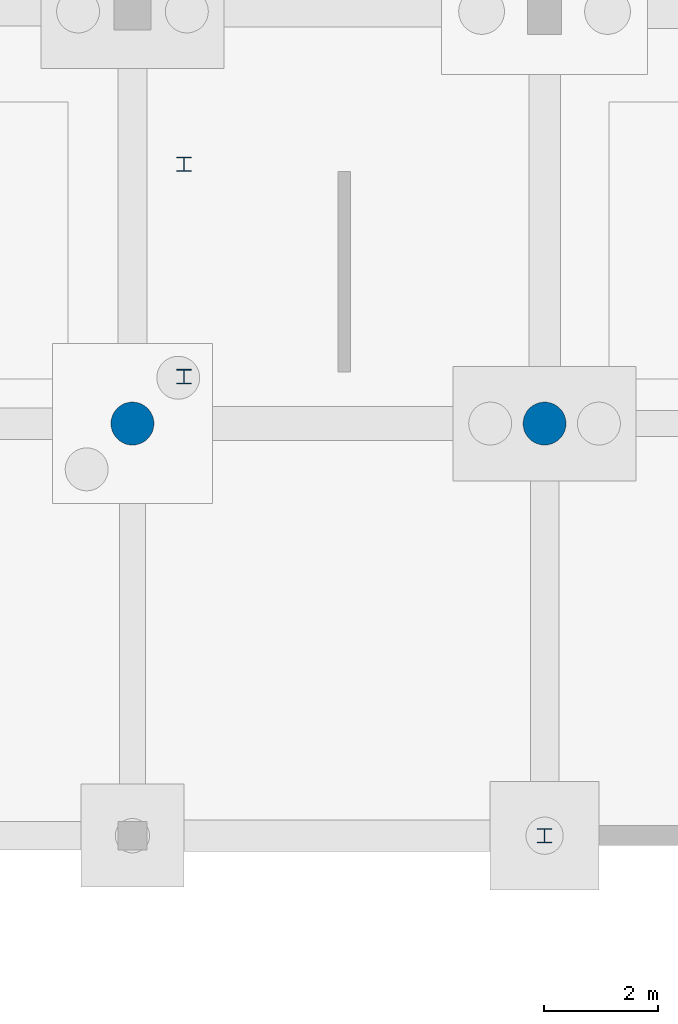
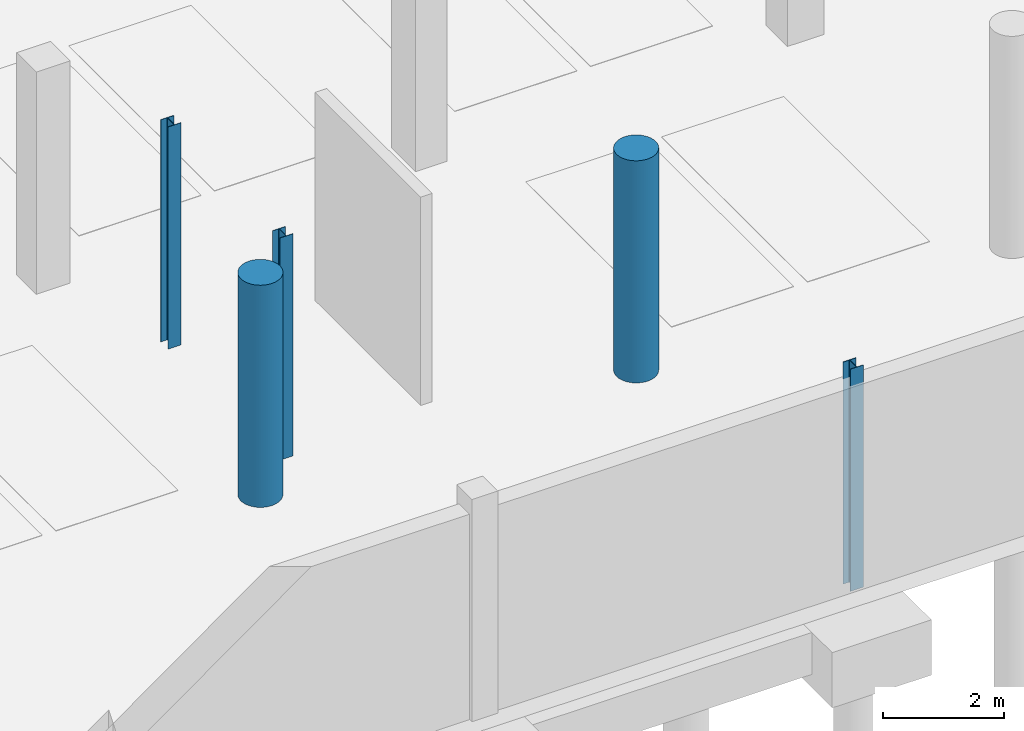
# One storey, part 15 of 35: 5 columns.
"""IFC4 building model written with IfcOpenShell, lengths in metres."""

from ifc_helpers import new_model, si_unit, direction, frame, origin, origin_2d, place, context, subcontext, project, spatial, circle, i_section, extrude, material, material_profile, profile_set, type_object, element, save


model = new_model("IFC4")

# Units and contexts
model_context = context("Model", 3, precision=1e-05, world=origin(), true_north=direction((0.0, 1.0)))
body_context = subcontext(model_context, "Body", "Model", "MODEL_VIEW")
ifc_project = project(units=[si_unit("LENGTHUNIT", "METRE"), si_unit("AREAUNIT", "SQUARE_METRE"), si_unit("VOLUMEUNIT", "CUBIC_METRE"), si_unit("PLANEANGLEUNIT", "RADIAN"), si_unit("MASSUNIT", "GRAM", prefix="KILO")], contexts=[model_context])

# Site, building, storey
site_placement = place(None, origin())
site = spatial("IfcSite", under=ifc_project, at=site_placement, CompositionType="ELEMENT")
building_placement = place(site_placement, origin())
building = spatial("IfcBuilding", under=site, at=building_placement, Name="Kalluvel Institute of Natural Sciences", CompositionType="ELEMENT")
storey_placement = place(building_placement, frame((0.0, 0.0, -4.5)))
storey = spatial("IfcBuildingStorey", under=building, at=storey_placement, Name="B1", CompositionType="ELEMENT", Elevation=-4.5)

# Columns
ifc_material_1 = material(Name="Steel E350 Grade 350", Category="steel")
ifc_material_profile_1 = material_profile(ifc_material_1, i_section(OverallWidth=0.25, OverallDepth=0.25, WebThickness=0.0087890625, FlangeThickness=0.009765625, FilletRadius=0.010009765625, at=origin_2d()), Name="ISHB 250")
ifc_profile_set_1 = profile_set([ifc_material_profile_1], Name="Steel E350 Grade 350")
column_type_1 = type_object("IfcColumnType", Name="COL-ISHB250", PredefinedType="COLUMN", material=ifc_profile_set_1)
for number, where, z_axis, x_axis, name in (
    (1, (71.60009765625, 64.39990234375, 0.0), (0.0, 0.0, 1.0), (1.0, 0.0, 0.0), "B1 structural column COL-B1-X716-Y644"),
    (2, (65.300048828125, 72.419921875, 0.0), (0.0, 0.0, 1.0), (1.0, 0.0, 0.0), "B1 Atrium feature stair landing post S"),
    (3, (65.300048828125, 76.1298828125, 0.0), (0.0, 0.0, 1.0), (1.0, 0.0, 0.0), "B1 Atrium feature stair landing post N"),
):
    element("IfcColumn", number, at=place(storey_placement, frame(where, z_axis=z_axis, x_axis=x_axis)), inside=storey, type_object=column_type_1, Name=name, PredefinedType="COLUMN", context=body_context, shape_type="SweptSolid", body=[
        extrude(i_section(OverallWidth=0.25, OverallDepth=0.25, WebThickness=0.0087890625, FlangeThickness=0.009765625, FilletRadius=0.010009765625, at=origin_2d()), origin(), (0.0, 0.0, 1.0), 4.5),
    ])
ifc_material_2 = material(Name="Concrete M50", Category="concrete")
ifc_material_profile_2 = material_profile(ifc_material_2, circle(Radius=0.375, at=origin_2d()), Name="RCCOL D750")
ifc_profile_set_2 = profile_set([ifc_material_profile_2], Name="Concrete M50")
column_type_2 = type_object("IfcColumnType", Name="COL-RCD750", PredefinedType="COLUMN", material=ifc_profile_set_2)
for number, where, z_axis, x_axis, name in (
    (4, (64.39990234375, 71.60009765625, 0.0), (0.0, 0.0, 1.0), (1.0, 0.0, 0.0), "B1 structural column COL-B1-X644-Y716"),
    (5, (71.60009765625, 71.60009765625, 0.0), (0.0, 0.0, 1.0), (1.0, 0.0, 0.0), "B1 structural column COL-B1-X716-Y716"),
):
    element("IfcColumn", number, at=place(storey_placement, frame(where, z_axis=z_axis, x_axis=x_axis)), inside=storey, type_object=column_type_2, Name=name, PredefinedType="COLUMN", context=body_context, shape_type="SweptSolid", body=[
        extrude(circle(Radius=0.375, at=origin_2d()), origin(), (0.0, 0.0, 1.0), 4.5),
    ])

save(model, "model.ifc")
